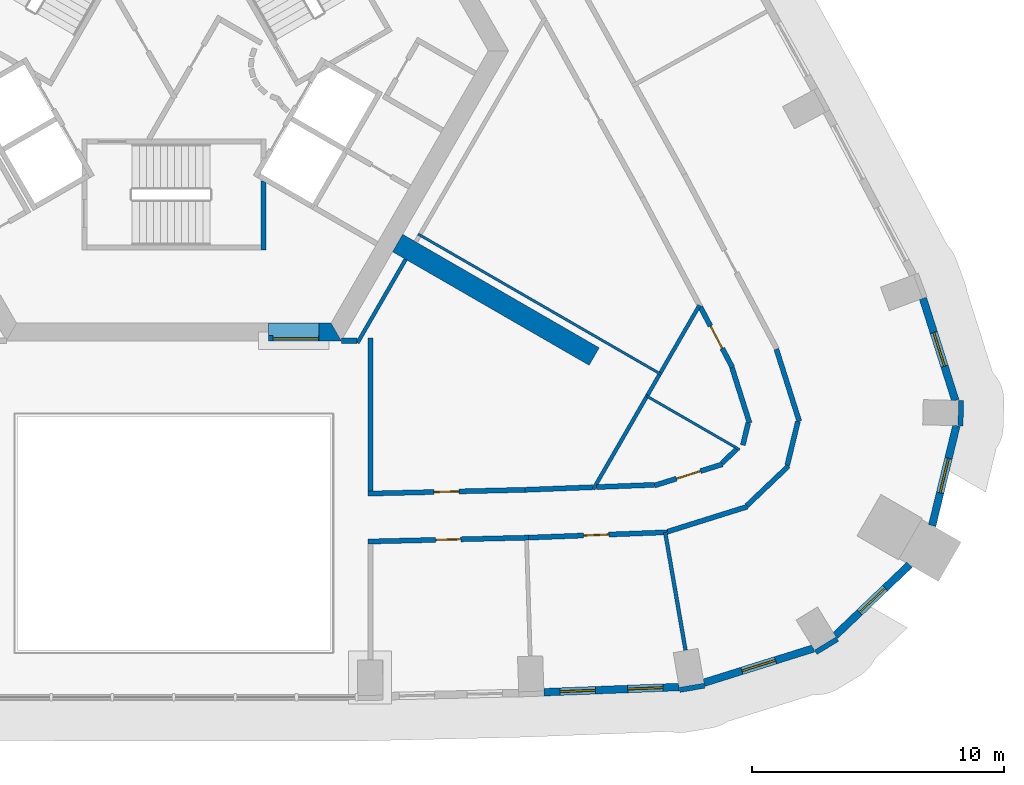
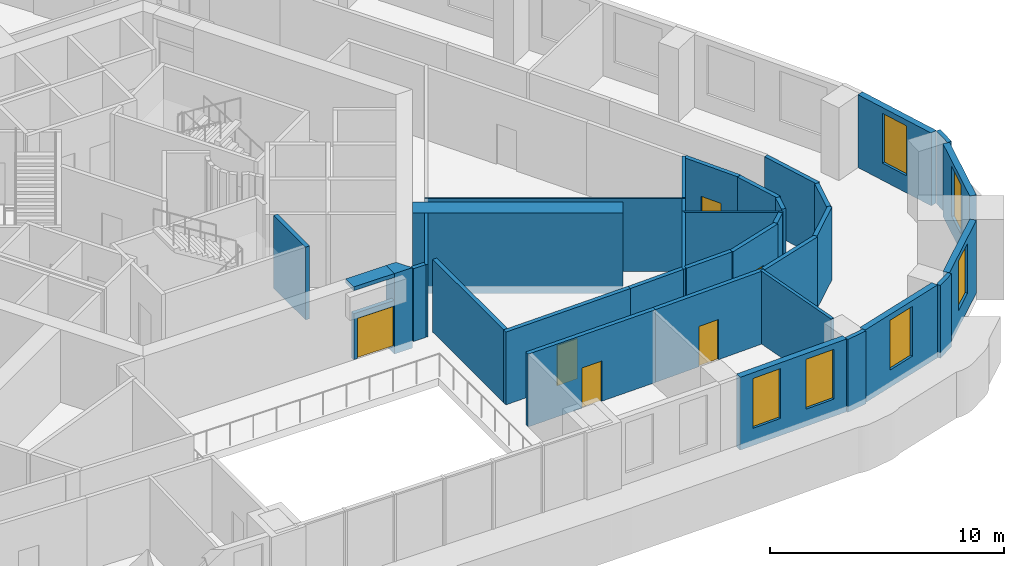
# One storey, part 6 of 13: 36 walls, 6 doors, 6 windows, 12 openings.
"""IFC4 building model written with IfcOpenShell, lengths in metres."""

from ifc_helpers import new_model, si_unit, direction, frame, frame_2d, origin, place, context, subcontext, project, spatial, polyline, rectangle, outline, extrude, material, layer, layer_set, type_object, element, fill, save


model = new_model("IFC4")

# Units and contexts
model_context = context("Model", 3, precision=1e-05, world=origin(), true_north=direction((0.0, 1.0)))
body_context = subcontext(model_context, "Body", "Model", "MODEL_VIEW")
ifc_project = project(units=[si_unit("LENGTHUNIT", "METRE"), si_unit("AREAUNIT", "SQUARE_METRE"), si_unit("VOLUMEUNIT", "CUBIC_METRE"), si_unit("PLANEANGLEUNIT", "RADIAN"), si_unit("MASSUNIT", "GRAM", prefix="KILO")], contexts=[model_context])

# Site, building, storey
site_placement = place(None, origin())
site = spatial("IfcSite", under=ifc_project, at=site_placement, CompositionType="ELEMENT")
building_placement = place(site_placement, origin())
building = spatial("IfcBuilding", under=site, at=building_placement, Name="Entoto Arch Interchange Tower", CompositionType="ELEMENT")
storey_placement = place(building_placement, frame((0.0, 0.0, 219.199951171875)))
storey = spatial("IfcBuildingStorey", under=building, at=storey_placement, Name="L49", CompositionType="ELEMENT", Elevation=219.199951171875)

# Wall
ifc_material_1 = material(Name="Concrete C50/60", Category="concrete")
ifc_layer_1 = layer(ifc_material_1, 0.800048828125)
ifc_layer_set_1 = layer_set([ifc_layer_1], Name="Concrete C50/60")
wall_type_1 = type_object("IfcWallType", Name="Buttress wall 800 C50/60", PredefinedType="SHEAR", material=ifc_layer_set_1)
wall_1_placement = place(storey_placement, frame((8.876953125, -5.125, -0.39990234375), z_axis=(0.0, 0.0, 1.0), x_axis=(0.866017533419, -0.500013631625, 0.0)))
element("IfcWall", 1, at=wall_1_placement, inside=storey, type_object=wall_type_1, Name="Buttress wall SE L49", PredefinedType="SHEAR", context=body_context, shape_type="SweptSolid", body=[
    extrude(rectangle(XDim=8.999755859375, YDim=0.800048828125, at=frame_2d((4.5, 0.0))), origin(), (0.0, 0.0, 1.0), 4.199951171875),
])

# Wall, opening, door
ifc_material_2 = material(Name="Reinforced concrete C40/50", Category="concrete")
ifc_layer_2 = layer(ifc_material_2, 0.199951171875)
ifc_layer_set_2 = layer_set([ifc_layer_2], Name="Reinforced concrete C40/50")
wall_type_2 = type_object("IfcWallType", Name="CORE GAP INFILL WALL", PredefinedType="PARTITIONING", material=ifc_layer_set_2)
wall_2_placement = place(storey_placement, frame((3.75, -8.89990234375, 0.0), z_axis=(0.0, 0.0, 1.0), x_axis=(1.0, 0.0, 0.0)))
wall_2 = element("IfcWall", 2, at=wall_2_placement, inside=storey, type_object=wall_type_2, Name="wall:L49:gap1", PredefinedType="PARTITIONING", context=body_context, shape_type="SweptSolid", body=[
    extrude(rectangle(XDim=2.0, YDim=0.199951171875, at=frame_2d((1.0, 0.0))), origin(), (0.0, 0.0, 1.0), 2.400146484375),
])
opening_1_placement = place(wall_2_placement, frame((0.18994140625, 0.0, 0.0)))
opening_1 = element("IfcOpeningElement", 3, at=opening_1_placement, cuts=wall_2, Name="Opening L49-D91", PredefinedType="OPENING", context=body_context, shape_type="SweptSolid", body=[
    extrude(rectangle(XDim=1.800048828125, YDim=2.10009765625, at=frame_2d((0.89990234375, 1.050048828125))), frame((0.0, 0.10986328125, 0.0), z_axis=(0.0, -1.0, 0.0), x_axis=(1.0, 0.0, 0.0)), (0.0, 0.0, 1.0), 0.219970703125),
])
ifc_material_3 = material(Name="Fire-rated Steel S235 door and frame", Category="steel")
door_type_1 = type_object("IfcDoorType", Name="DOOR FD-18 1800x2100", OperationType="DOUBLE_DOOR_SINGLE_SWING", PredefinedType="DOOR", material=ifc_material_3)
door_1_placement = place(opening_1_placement, origin())
door_1 = element("IfcDoor", 4, at=door_1_placement, inside=storey, type_object=door_type_1, Name="door:L49:gap1", OperationType="DOUBLE_DOOR_SINGLE_SWING", OverallHeight=2.10009765625, OverallWidth=1.800048828125, PredefinedType="DOOR", context=body_context, shape_type="SweptSolid", body=[
    extrude(rectangle(XDim=1.800048828125, YDim=2.10009765625, at=frame_2d((0.89990234375, 1.050048828125))), frame((0.0, 0.02490234375, 0.0), z_axis=(0.0, -1.0, 0.0), x_axis=(1.0, 0.0, 0.0)), (0.0, 0.0, 1.0), 0.050048828125),
])
fill(opening_1, door_1)

# Walls
ifc_layer_3 = layer(ifc_material_1, 0.699951171875)
ifc_layer_set_3 = layer_set([ifc_layer_3], Name="Concrete C50/60")
wall_type_3 = type_object("IfcWallType", Name="Core wall 700 C50/60", PredefinedType="SHEAR", material=ifc_layer_set_3)
wall_3_placement = place(storey_placement, frame((0.0, 0.0, -0.39990234375)))
element("IfcWall", 5, at=wall_3_placement, inside=storey, type_object=wall_type_3, Name="Core wall S L49", PredefinedType="SHEAR", context=body_context, shape_type="SweptSolid", body=[
    extrude(outline(polyline([(5.75, -8.300048828125), (5.75, -9.0), (6.639892578125, -9.0), (6.235107421875, -8.300048828125), (5.75, -8.300048828125)])), origin(), (0.0, 0.0, 1.0), 4.199951171875),
])
wall_4_placement = place(storey_placement, frame((0.0, 0.0, 3.60009765625)))
element("IfcWall", 6, at=wall_4_placement, inside=storey, type_object=wall_type_3, Name="Core wall lintel S L49", PredefinedType="SHEAR", context=body_context, shape_type="SweptSolid", body=[
    extrude(outline(polyline([(5.75, -9.0), (5.75, -8.300048828125), (3.75, -8.300048828125), (3.75, -9.0), (5.75, -9.0)])), origin(), (0.0, 0.0, 1.0), 0.199951171875),
])
ifc_material_4 = material(Name="Gypsum board partition on steel studs", Category="steel")
ifc_layer_4 = layer(ifc_material_4, 0.10009765625)
ifc_layer_set_4 = layer_set([ifc_layer_4], Name="Gypsum board partition on steel studs")
wall_type_4 = type_object("IfcWallType", Name="PARTITION 100", PredefinedType="PARTITIONING", material=ifc_layer_set_4)
wall_5_placement = place(storey_placement, frame((9.68896484375, -4.76806640625, 0.0), z_axis=(0.0, 0.0, 1.0), x_axis=(0.866023322577, -0.500003604739, 0.0)))
element("IfcWall", 7, at=wall_5_placement, inside=storey, type_object=wall_type_4, Name="wall:L49:p107", PredefinedType="PARTITIONING", context=body_context, shape_type="SweptSolid", body=[
    extrude(rectangle(XDim=11.14990234375, YDim=0.10009765625, at=frame_2d((5.574951171875, 0.0))), origin(), (0.0, 0.0, 1.0), 3.800048828125),
])
wall_6_placement = place(storey_placement, frame((18.764892578125, -11.198974609375, 0.0), z_axis=(0.0, 0.0, 1.0), x_axis=(0.866038964406, -0.499976511579, 0.0)))
element("IfcWall", 8, at=wall_6_placement, inside=storey, type_object=wall_type_4, Name="wall:L49:p111", PredefinedType="PARTITIONING", context=body_context, shape_type="SweptSolid", body=[
    extrude(rectangle(XDim=4.242431640625, YDim=0.10009765625, at=frame_2d((2.12109375, 0.0))), origin(), (0.0, 0.0, 1.0), 3.800048828125),
])
ifc_layer_5 = layer(ifc_material_4, 0.14990234375)
ifc_layer_set_5 = layer_set([ifc_layer_5], Name="Gypsum board partition on steel studs")
wall_type_5 = type_object("IfcWallType", Name="PARTITION 150", PredefinedType="PARTITIONING", material=ifc_layer_set_5)
wall_7_placement = place(storey_placement, frame((7.282958984375, -9.0859375, 0.0), z_axis=(0.0, 0.0, 1.0), x_axis=(0.500035303972, 0.866005020067, 0.0)))
element("IfcWall", 9, at=wall_7_placement, inside=storey, type_object=wall_type_5, Name="wall:L49:p087", PredefinedType="PARTITIONING", context=body_context, shape_type="SweptSolid", body=[
    extrude(rectangle(XDim=3.827880859375, YDim=0.14990234375, at=frame_2d((1.9140625, 0.0))), origin(), (0.0, 0.0, 1.0), 3.800048828125),
])
wall_8_placement = place(storey_placement, frame((18.7890625, -11.156005859375, 0.0), z_axis=(0.0, 0.0, 1.0), x_axis=(-0.499822078765, -0.866128102292, 0.0)))
element("IfcWall", 10, at=wall_8_placement, inside=storey, type_object=wall_type_5, Name="wall:L49:p108", PredefinedType="PARTITIONING", context=body_context, shape_type="SweptSolid", body=[
    extrude(rectangle(XDim=4.3134765625, YDim=0.14990234375, at=frame_2d((2.15673828125, 0.0))), origin(), (0.0, 0.0, 1.0), 3.800048828125),
])
wall_9_placement = place(storey_placement, frame((19.2548828125, -10.34912109375, 0.0), z_axis=(0.0, 0.0, 1.0), x_axis=(-0.499185199876, -0.866495318063, 0.0)))
element("IfcWall", 11, at=wall_9_placement, inside=storey, type_object=wall_type_5, Name="wall:L49:p109", PredefinedType="PARTITIONING", context=body_context, shape_type="SweptSolid", body=[
    extrude(rectangle(XDim=0.93115234375, YDim=0.14990234375, at=frame_2d((0.465576171875, 0.0))), origin(), (0.0, 0.0, 1.0), 3.800048828125),
])
wall_10_placement = place(storey_placement, frame((20.846923828125, -7.593017578125, 0.0), z_axis=(0.0, 0.0, 1.0), x_axis=(-0.500261762561, -0.865874222343, 0.0)))
element("IfcWall", 12, at=wall_10_placement, inside=storey, type_object=wall_type_5, Name="wall:L49:p110", PredefinedType="PARTITIONING", context=body_context, shape_type="SweptSolid", body=[
    extrude(rectangle(XDim=3.082275390625, YDim=0.14990234375, at=frame_2d((1.541015625, 0.0))), origin(), (0.0, 0.0, 1.0), 3.800048828125),
])
wall_11_placement = place(storey_placement, frame((19.488037109375, -16.59912109375, 0.0), z_axis=(0.0, 0.0, 1.0), x_axis=(0.169963884325, -0.985450292011, 0.0)))
element("IfcWall", 13, at=wall_11_placement, inside=storey, type_object=wall_type_5, Name="wall:L49:p118", PredefinedType="PARTITIONING", context=body_context, shape_type="SweptSolid", body=[
    extrude(rectangle(XDim=4.73583984375, YDim=0.14990234375, at=frame_2d((2.367919921875, 0.0))), origin(), (0.0, 0.0, 1.0), 3.800048828125),
])

# Wall, opening, door
ifc_layer_6 = layer(ifc_material_4, 0.199951171875)
ifc_layer_set_6 = layer_set([ifc_layer_6], Name="Gypsum board partition on steel studs")
wall_type_6 = type_object("IfcWallType", Name="PARTITION 200", PredefinedType="PARTITIONING", material=ifc_layer_set_6)
wall_12_placement = place(storey_placement, frame((7.699951171875, -15.06103515625, 0.0), z_axis=(0.0, 0.0, 1.0), x_axis=(0.999709615165, 0.024097413707, 0.0)))
wall_12 = element("IfcWall", 14, at=wall_12_placement, inside=storey, type_object=wall_type_6, Name="wall:L49:p014", PredefinedType="PARTITIONING", context=body_context, shape_type="SweptSolid", body=[
    extrude(rectangle(XDim=6.230712890625, YDim=0.199951171875, at=frame_2d((3.115234375, 0.0))), origin(), (0.0, 0.0, 1.0), 3.800048828125),
])
opening_2_placement = place(wall_12_placement, frame((2.614990234375, 0.0, 0.0)))
opening_2 = element("IfcOpeningElement", 15, at=opening_2_placement, cuts=wall_12, Name="Opening L49-D16", PredefinedType="OPENING", context=body_context, shape_type="SweptSolid", body=[
    extrude(rectangle(XDim=1.0, YDim=2.10009765625, at=frame_2d((0.5, 1.050048828125))), frame((0.0, 0.10986328125, 0.0), z_axis=(0.0, -1.0, 0.0), x_axis=(1.0, 0.0, 0.0)), (0.0, 0.0, 1.0), 0.219970703125),
])
ifc_material_5 = material(Name="Timber door leaf in Steel S235 frame", Category="steel")
door_type_2 = type_object("IfcDoorType", Name="DOOR DS-10 1000x2100", OperationType="SINGLE_SWING_LEFT", PredefinedType="DOOR", material=ifc_material_5)
door_2_placement = place(opening_2_placement, origin())
door_2 = element("IfcDoor", 16, at=door_2_placement, inside=storey, type_object=door_type_2, Name="door:L49:16", OperationType="SINGLE_SWING_LEFT", OverallHeight=2.10009765625, OverallWidth=1.0, PredefinedType="DOOR", context=body_context, shape_type="SweptSolid", body=[
    extrude(rectangle(XDim=1.0, YDim=2.10009765625, at=frame_2d((0.5, 1.050048828125))), frame((0.0, 0.02490234375, 0.0), z_axis=(0.0, -1.0, 0.0), x_axis=(1.0, 0.0, 0.0)), (0.0, 0.0, 1.0), 0.050048828125),
])
fill(opening_2, door_2)

# Walls
wall_13_placement = place(storey_placement, frame((13.928955078125, -14.910888671875, 0.0), z_axis=(0.0, 0.0, 1.0), x_axis=(0.99926480204, 0.038338693307, 0.0)))
element("IfcWall", 17, at=wall_13_placement, inside=storey, type_object=wall_type_6, Name="wall:L49:p015", PredefinedType="PARTITIONING", context=body_context, shape_type="SweptSolid", body=[
    extrude(rectangle(XDim=2.680908203125, YDim=0.199951171875, at=frame_2d((1.34033203125, 0.0))), origin(), (0.0, 0.0, 1.0), 3.800048828125),
])
wall_14_placement = place(storey_placement, frame((16.757080078125, -14.802001953125, 0.0), z_axis=(0.0, 0.0, 1.0), x_axis=(0.999273784151, 0.038103862122, 0.0)))
element("IfcWall", 18, at=wall_14_placement, inside=storey, type_object=wall_type_6, Name="wall:L49:p018", PredefinedType="PARTITIONING", context=body_context, shape_type="SweptSolid", body=[
    extrude(rectangle(XDim=2.306640625, YDim=0.199951171875, at=frame_2d((1.1533203125, 0.0))), origin(), (0.0, 0.0, 1.0), 3.800048828125),
])

# Wall, opening, door
wall_15_placement = place(storey_placement, frame((19.06591796875, -14.739990234375, 0.0), z_axis=(0.0, 0.0, 1.0), x_axis=(0.954238004552, 0.299048207935, 0.0)))
wall_15 = element("IfcWall", 19, at=wall_15_placement, inside=storey, type_object=wall_type_6, Name="wall:L49:p019", PredefinedType="PARTITIONING", context=body_context, shape_type="SweptSolid", body=[
    extrude(rectangle(XDim=2.822265625, YDim=0.199951171875, at=frame_2d((1.4111328125, 0.0))), origin(), (0.0, 0.0, 1.0), 3.800048828125),
])
opening_3_placement = place(wall_15_placement, frame((0.910888671875, 0.0, 0.0)))
opening_3 = element("IfcOpeningElement", 20, at=opening_3_placement, cuts=wall_15, Name="Opening L49-D18", PredefinedType="OPENING", context=body_context, shape_type="SweptSolid", body=[
    extrude(rectangle(XDim=1.0, YDim=2.10009765625, at=frame_2d((0.5, 1.050048828125))), frame((0.0, 0.10986328125, 0.0), z_axis=(0.0, -1.0, 0.0), x_axis=(1.0, 0.0, 0.0)), (0.0, 0.0, 1.0), 0.219970703125),
])
door_3_placement = place(opening_3_placement, origin())
door_3 = element("IfcDoor", 21, at=door_3_placement, inside=storey, type_object=door_type_2, Name="door:L49:18", OperationType="SINGLE_SWING_LEFT", OverallHeight=2.10009765625, OverallWidth=1.0, PredefinedType="DOOR", context=body_context, shape_type="SweptSolid", body=[
    extrude(rectangle(XDim=1.0, YDim=2.10009765625, at=frame_2d((0.5, 1.050048828125))), frame((0.0, 0.02490234375, 0.0), z_axis=(0.0, -1.0, 0.0), x_axis=(1.0, 0.0, 0.0)), (0.0, 0.0, 1.0), 0.050048828125),
])
fill(opening_3, door_3)

# Walls
wall_16_placement = place(storey_placement, frame((21.736083984375, -13.85693359375, 0.0), z_axis=(0.0, 0.0, 1.0), x_axis=(0.723666760573, 0.690149563241, 0.0)))
element("IfcWall", 22, at=wall_16_placement, inside=storey, type_object=wall_type_6, Name="wall:L49:p020", PredefinedType="PARTITIONING", context=body_context, shape_type="SweptSolid", body=[
    extrude(rectangle(XDim=0.80126953125, YDim=0.199951171875, at=frame_2d((0.400634765625, 0.0))), origin(), (0.0, 0.0, 1.0), 3.800048828125),
])
wall_17_placement = place(storey_placement, frame((22.56689453125, -13.138916015625, 0.0), z_axis=(0.0, 0.0, 1.0), x_axis=(0.2356388299, 0.971840697771, 0.0)))
element("IfcWall", 23, at=wall_17_placement, inside=storey, type_object=wall_type_6, Name="wall:L49:p021", PredefinedType="PARTITIONING", context=body_context, shape_type="SweptSolid", body=[
    extrude(rectangle(XDim=0.900390625, YDim=0.199951171875, at=frame_2d((0.4501953125, 0.0))), origin(), (0.0, 0.0, 1.0), 3.800048828125),
])
wall_18_placement = place(storey_placement, frame((22.8330078125, -12.261962890625, 0.0), z_axis=(0.0, 0.0, 1.0), x_axis=(-0.302262657712, 0.953224677478, 0.0)))
element("IfcWall", 24, at=wall_18_placement, inside=storey, type_object=wall_type_6, Name="wall:L49:p022", PredefinedType="PARTITIONING", context=body_context, shape_type="SweptSolid", body=[
    extrude(rectangle(XDim=2.302734375, YDim=0.199951171875, at=frame_2d((1.1513671875, 0.0))), origin(), (0.0, 0.0, 1.0), 3.800048828125),
])

# Wall, opening, door
wall_19_placement = place(storey_placement, frame((22.154052734375, -10.06005859375, 0.0), z_axis=(0.0, 0.0, 1.0), x_axis=(-0.468114756541, 0.883667683413, 0.0)))
wall_19 = element("IfcWall", 25, at=wall_19_placement, inside=storey, type_object=wall_type_6, Name="wall:L49:p023", PredefinedType="PARTITIONING", context=body_context, shape_type="SweptSolid", body=[
    extrude(rectangle(XDim=2.71728515625, YDim=0.199951171875, at=frame_2d((1.358642578125, 0.0))), origin(), (0.0, 0.0, 1.0), 3.800048828125),
])
opening_4_placement = place(wall_19_placement, frame((0.85888671875, 0.0, 0.0)))
opening_4 = element("IfcOpeningElement", 26, at=opening_4_placement, cuts=wall_19, Name="Opening L49-D19", PredefinedType="OPENING", context=body_context, shape_type="SweptSolid", body=[
    extrude(rectangle(XDim=1.0, YDim=2.10009765625, at=frame_2d((0.5, 1.050048828125))), frame((0.0, 0.10986328125, 0.0), z_axis=(0.0, -1.0, 0.0), x_axis=(1.0, 0.0, 0.0)), (0.0, 0.0, 1.0), 0.219970703125),
])
door_4_placement = place(opening_4_placement, origin())
door_4 = element("IfcDoor", 27, at=door_4_placement, inside=storey, type_object=door_type_2, Name="door:L49:19", OperationType="SINGLE_SWING_LEFT", OverallHeight=2.10009765625, OverallWidth=1.0, PredefinedType="DOOR", context=body_context, shape_type="SweptSolid", body=[
    extrude(rectangle(XDim=1.0, YDim=2.10009765625, at=frame_2d((0.5, 1.050048828125))), frame((0.0, 0.02490234375, 0.0), z_axis=(0.0, -1.0, 0.0), x_axis=(1.0, 0.0, 0.0)), (0.0, 0.0, 1.0), 0.050048828125),
])
fill(opening_4, door_4)

wall_20_placement = place(storey_placement, frame((14.06298828125, -16.80810546875, 0.0), z_axis=(0.0, 0.0, 1.0), x_axis=(-0.999707980382, -0.024165139379, 0.0)))
wall_20 = element("IfcWall", 28, at=wall_20_placement, inside=storey, type_object=wall_type_6, Name="wall:L49:p035", PredefinedType="PARTITIONING", context=body_context, shape_type="SweptSolid", body=[
    extrude(rectangle(XDim=6.364990234375, YDim=0.199951171875, at=frame_2d((3.1826171875, 0.0))), origin(), (0.0, 0.0, 1.0), 3.800048828125),
])
opening_5_placement = place(wall_20_placement, frame((2.68310546875, 0.0, 0.0)))
opening_5 = element("IfcOpeningElement", 29, at=opening_5_placement, cuts=wall_20, Name="Opening L49-D01", PredefinedType="OPENING", context=body_context, shape_type="SweptSolid", body=[
    extrude(rectangle(XDim=1.0, YDim=2.10009765625, at=frame_2d((0.5, 1.050048828125))), frame((0.0, 0.10986328125, 0.0), z_axis=(0.0, -1.0, 0.0), x_axis=(1.0, 0.0, 0.0)), (0.0, 0.0, 1.0), 0.219970703125),
])
door_5_placement = place(opening_5_placement, origin())
door_5 = element("IfcDoor", 30, at=door_5_placement, inside=storey, type_object=door_type_2, Name="door:L49:01", OperationType="SINGLE_SWING_LEFT", OverallHeight=2.10009765625, OverallWidth=1.0, PredefinedType="DOOR", context=body_context, shape_type="SweptSolid", body=[
    extrude(rectangle(XDim=1.0, YDim=2.10009765625, at=frame_2d((0.5, 1.050048828125))), frame((0.0, 0.02490234375, 0.0), z_axis=(0.0, -1.0, 0.0), x_axis=(1.0, 0.0, 0.0)), (0.0, 0.0, 1.0), 0.050048828125),
])
fill(opening_5, door_5)

wall_21_placement = place(storey_placement, frame((19.587890625, -16.594970703125, 0.0), z_axis=(0.0, 0.0, 1.0), x_axis=(-0.999265212989, -0.038327980772, 0.0)))
wall_21 = element("IfcWall", 31, at=wall_21_placement, inside=storey, type_object=wall_type_6, Name="wall:L49:p036", PredefinedType="PARTITIONING", context=body_context, shape_type="SweptSolid", body=[
    extrude(rectangle(XDim=5.529052734375, YDim=0.199951171875, at=frame_2d((2.7646484375, 0.0))), origin(), (0.0, 0.0, 1.0), 3.800048828125),
])
opening_6_placement = place(wall_21_placement, frame((2.339111328125, 0.0, 0.0)))
opening_6 = element("IfcOpeningElement", 32, at=opening_6_placement, cuts=wall_21, Name="Opening L49-D02", PredefinedType="OPENING", context=body_context, shape_type="SweptSolid", body=[
    extrude(rectangle(XDim=1.0, YDim=2.10009765625, at=frame_2d((0.5, 1.050048828125))), frame((0.0, 0.10986328125, 0.0), z_axis=(0.0, -1.0, 0.0), x_axis=(1.0, 0.0, 0.0)), (0.0, 0.0, 1.0), 0.219970703125),
])
door_6_placement = place(opening_6_placement, origin())
door_6 = element("IfcDoor", 33, at=door_6_placement, inside=storey, type_object=door_type_2, Name="door:L49:02", OperationType="SINGLE_SWING_LEFT", OverallHeight=2.10009765625, OverallWidth=1.0, PredefinedType="DOOR", context=body_context, shape_type="SweptSolid", body=[
    extrude(rectangle(XDim=1.0, YDim=2.10009765625, at=frame_2d((0.5, 1.050048828125))), frame((0.0, 0.02490234375, 0.0), z_axis=(0.0, -1.0, 0.0), x_axis=(1.0, 0.0, 0.0)), (0.0, 0.0, 1.0), 0.050048828125),
])
fill(opening_6, door_6)

# Walls
wall_22_placement = place(storey_placement, frame((23.89697265625, -9.330078125, 0.0), z_axis=(0.0, 0.0, 1.0), x_axis=(0.302200639646, -0.953244340868, 0.0)))
element("IfcWall", 34, at=wall_22_placement, inside=storey, type_object=wall_type_6, Name="wall:L49:p039", PredefinedType="PARTITIONING", context=body_context, shape_type="SweptSolid", body=[
    extrude(rectangle(XDim=3.00439453125, YDim=0.199951171875, at=frame_2d((1.502197265625, 0.0))), origin(), (0.0, 0.0, 1.0), 3.800048828125),
])
wall_23_placement = place(storey_placement, frame((24.7509765625, -12.196044921875, 0.0), z_axis=(0.0, 0.0, 1.0), x_axis=(-0.235756216468, -0.971812227952, 0.0)))
element("IfcWall", 35, at=wall_23_placement, inside=storey, type_object=wall_type_6, Name="wall:L49:p040", PredefinedType="PARTITIONING", context=body_context, shape_type="SweptSolid", body=[
    extrude(rectangle(XDim=1.78955078125, YDim=0.199951171875, at=frame_2d((0.894775390625, 0.0))), origin(), (0.0, 0.0, 1.0), 3.800048828125),
])
wall_24_placement = place(storey_placement, frame((24.3779296875, -13.964111328125, 0.0), z_axis=(0.0, 0.0, 1.0), x_axis=(-0.723967420116, -0.689834164571, 0.0)))
element("IfcWall", 36, at=wall_24_placement, inside=storey, type_object=wall_type_6, Name="wall:L49:p041", PredefinedType="PARTITIONING", context=body_context, shape_type="SweptSolid", body=[
    extrude(rectangle(XDim=2.28173828125, YDim=0.199951171875, at=frame_2d((1.140869140625, 0.0))), origin(), (0.0, 0.0, 1.0), 3.800048828125),
])
wall_25_placement = place(storey_placement, frame((22.7490234375, -15.576904296875, 0.0), z_axis=(0.0, 0.0, 1.0), x_axis=(-0.954238750745, -0.299045826884, 0.0)))
element("IfcWall", 37, at=wall_25_placement, inside=storey, type_object=wall_type_6, Name="wall:L49:p042", PredefinedType="PARTITIONING", context=body_context, shape_type="SweptSolid", body=[
    extrude(rectangle(XDim=3.31787109375, YDim=0.199951171875, at=frame_2d((1.658935546875, 0.0))), origin(), (0.0, 0.0, 1.0), 3.800048828125),
])
wall_26_placement = place(storey_placement, frame((6.64111328125, -8.9990234375, 0.0), z_axis=(0.0, 0.0, 1.0), x_axis=(1.0, 0.0, 0.0)))
element("IfcWall", 38, at=wall_26_placement, inside=storey, type_object=wall_type_6, Name="wall:L49:p086", PredefinedType="PARTITIONING", context=body_context, shape_type="SweptSolid", body=[
    extrude(rectangle(XDim=0.616943359375, YDim=0.199951171875, at=frame_2d((0.30859375, 0.0))), origin(), (0.0, 0.0, 1.0), 3.800048828125),
])
wall_27_placement = place(storey_placement, frame((7.800048828125, -8.89892578125, 0.0), z_axis=(0.0, 0.0, 1.0), x_axis=(0.0, -1.0, 0.0)))
element("IfcWall", 39, at=wall_27_placement, inside=storey, type_object=wall_type_6, Name="wall:L49:p101", PredefinedType="PARTITIONING", context=body_context, shape_type="SweptSolid", body=[
    extrude(rectangle(XDim=6.06005859375, YDim=0.199951171875, at=frame_2d((3.030029296875, 0.0))), origin(), (0.0, 0.0, 1.0), 3.800048828125),
])
ifc_material_6 = material(Name="Concrete C40/50", Category="concrete")
ifc_layer_7 = layer(ifc_material_6, 0.199951171875)
ifc_layer_set_7 = layer_set([ifc_layer_7], Name="Concrete C40/50")
wall_type_7 = type_object("IfcWallType", Name="STAIR ENCLOSURE WALL 200", PredefinedType="STANDARD", material=ifc_layer_set_7)
wall_28_placement = place(storey_placement, frame((3.550048828125, -2.6669921875, 0.0), z_axis=(0.0, 0.0, 1.0), x_axis=(0.0, -1.0, 0.0)))
element("IfcWall", 40, at=wall_28_placement, inside=storey, type_object=wall_type_7, Name="Stair wall ST-S far", PredefinedType="STANDARD", context=body_context, shape_type="SweptSolid", body=[
    extrude(rectangle(XDim=2.73291015625, YDim=0.199951171875, at=frame_2d((1.366455078125, 0.0))), origin(), (0.0, 0.0, 1.0), 3.800048828125),
])

# Wall, openings, windows
ifc_material_7 = material(Name="Welded tuff (ignimbrite) cladding, warm buff", Category="masonry")
ifc_layer_8 = layer(ifc_material_7, 0.300048828125)
ifc_layer_set_8 = layer_set([ifc_layer_8], Name="Welded tuff (ignimbrite) cladding, warm buff")
wall_type_8 = type_object("IfcWallType", Name="STONE INFILL WALL 300", PredefinedType="STANDARD", material=ifc_layer_set_8)
wall_29_placement = place(storey_placement, frame((14.678955078125, -22.93798828125, 0.0), z_axis=(0.0, 0.0, 1.0), x_axis=(0.99926218254, 0.038406907512, 0.0)))
wall_29 = element("IfcWall", 41, at=wall_29_placement, inside=storey, type_object=wall_type_8, Name="Facade wall S-05 L49", PredefinedType="STANDARD", context=body_context, shape_type="SweptSolid", body=[
    extrude(rectangle(XDim=5.364990234375, YDim=0.300048828125, at=frame_2d((2.6826171875, 0.0))), origin(), (0.0, 0.0, 1.0), 3.800048828125),
])
opening_7_placement = place(wall_29_placement, frame((0.64111328125, 0.0, 0.89990234375)))
opening_7 = element("IfcOpeningElement", 42, at=opening_7_placement, cuts=wall_29, Name="Opening WO-B", PredefinedType="OPENING", context=body_context, shape_type="SweptSolid", body=[
    extrude(rectangle(XDim=1.39990234375, YDim=2.60009765625, at=frame_2d((0.699951171875, 1.300048828125))), frame((0.0, 0.16015625, 0.0), z_axis=(0.0, -1.0, 0.0), x_axis=(1.0, 0.0, 0.0)), (0.0, 0.0, 1.0), 0.320068359375),
])
opening_8_placement = place(wall_29_placement, frame((3.323974609375, 0.0, 0.89990234375)))
opening_8 = element("IfcOpeningElement", 43, at=opening_8_placement, cuts=wall_29, Name="Opening WO-B", PredefinedType="OPENING", context=body_context, shape_type="SweptSolid", body=[
    extrude(rectangle(XDim=1.39990234375, YDim=2.60009765625, at=frame_2d((0.699951171875, 1.300048828125))), frame((0.0, 0.16015625, 0.0), z_axis=(0.0, -1.0, 0.0), x_axis=(1.0, 0.0, 0.0)), (0.0, 0.0, 1.0), 0.320068359375),
])
ifc_material_8 = material(Name="Clear glass, low-e double glazed", Category="glass")
window_type = type_object("IfcWindowType", Name="WINDOW WO-B 1400x2600", PartitioningType="DOUBLE_PANEL_VERTICAL", PredefinedType="WINDOW", material=ifc_material_8)
window_1_placement = place(opening_7_placement, origin())
window_1 = element("IfcWindow", 44, at=window_1_placement, inside=storey, type_object=window_type, Name="Window WO-B S-05 L49", OverallHeight=2.60009765625, OverallWidth=1.39990234375, PartitioningType="SINGLE_PANEL", PredefinedType="WINDOW", context=body_context, shape_type="SweptSolid", body=[
    extrude(rectangle(XDim=1.39990234375, YDim=2.60009765625, at=frame_2d((0.699951171875, 1.300048828125))), frame((0.0, 0.030029296875, 0.0), z_axis=(0.0, -1.0, 0.0), x_axis=(1.0, 0.0, 0.0)), (0.0, 0.0, 1.0), 0.06005859375),
])
fill(opening_7, window_1)
window_2_placement = place(opening_8_placement, origin())
window_2 = element("IfcWindow", 45, at=window_2_placement, inside=storey, type_object=window_type, Name="Window WO-B S-05 L49", OverallHeight=2.60009765625, OverallWidth=1.39990234375, PartitioningType="SINGLE_PANEL", PredefinedType="WINDOW", context=body_context, shape_type="SweptSolid", body=[
    extrude(rectangle(XDim=1.39990234375, YDim=2.60009765625, at=frame_2d((0.699951171875, 1.300048828125))), frame((0.0, 0.030029296875, 0.0), z_axis=(0.0, -1.0, 0.0), x_axis=(1.0, 0.0, 0.0)), (0.0, 0.0, 1.0), 0.06005859375),
])
fill(opening_8, window_2)

# Wall, opening, window
wall_30_placement = place(storey_placement, frame((21.02392578125, -22.56201171875, 0.0), z_axis=(0.0, 0.0, 1.0), x_axis=(0.954297481837, 0.298858354675, 0.0)))
wall_30 = element("IfcWall", 46, at=wall_30_placement, inside=storey, type_object=wall_type_8, Name="Facade wall SE-01 L49", PredefinedType="STANDARD", context=body_context, shape_type="SweptSolid", body=[
    extrude(rectangle(XDim=4.551025390625, YDim=0.300048828125, at=frame_2d((2.275390625, 0.0))), origin(), (0.0, 0.0, 1.0), 3.800048828125),
])
opening_9_placement = place(wall_30_placement, frame((1.574951171875, 0.0, 0.89990234375)))
opening_9 = element("IfcOpeningElement", 47, at=opening_9_placement, cuts=wall_30, Name="Opening WO-B", PredefinedType="OPENING", context=body_context, shape_type="SweptSolid", body=[
    extrude(rectangle(XDim=1.39990234375, YDim=2.60009765625, at=frame_2d((0.699951171875, 1.300048828125))), frame((0.0, 0.16015625, 0.0), z_axis=(0.0, -1.0, 0.0), x_axis=(1.0, 0.0, 0.0)), (0.0, 0.0, 1.0), 0.320068359375),
])
window_3_placement = place(opening_9_placement, origin())
window_3 = element("IfcWindow", 48, at=window_3_placement, inside=storey, type_object=window_type, Name="Window WO-B SE-01 L49", OverallHeight=2.60009765625, OverallWidth=1.39990234375, PartitioningType="SINGLE_PANEL", PredefinedType="WINDOW", context=body_context, shape_type="SweptSolid", body=[
    extrude(rectangle(XDim=1.39990234375, YDim=2.60009765625, at=frame_2d((0.699951171875, 1.300048828125))), frame((0.0, 0.030029296875, 0.0), z_axis=(0.0, -1.0, 0.0), x_axis=(1.0, 0.0, 0.0)), (0.0, 0.0, 1.0), 0.06005859375),
])
fill(opening_9, window_3)

wall_31_placement = place(storey_placement, frame((26.22802734375, -20.697021484375, 0.0), z_axis=(0.0, 0.0, 1.0), x_axis=(0.723707630873, 0.69010670553, 0.0)))
wall_31 = element("IfcWall", 49, at=wall_31_placement, inside=storey, type_object=wall_type_8, Name="Facade wall SE-02 L49", PredefinedType="STANDARD", context=body_context, shape_type="SweptSolid", body=[
    extrude(rectangle(XDim=4.076171875, YDim=0.300048828125, at=frame_2d((2.0380859375, 0.0))), origin(), (0.0, 0.0, 1.0), 3.800048828125),
])
opening_10_placement = place(wall_31_placement, frame((1.337890625, 0.0, 0.89990234375)))
opening_10 = element("IfcOpeningElement", 50, at=opening_10_placement, cuts=wall_31, Name="Opening WO-B", PredefinedType="OPENING", context=body_context, shape_type="SweptSolid", body=[
    extrude(rectangle(XDim=1.39990234375, YDim=2.60009765625, at=frame_2d((0.699951171875, 1.300048828125))), frame((0.0, 0.16015625, 0.0), z_axis=(0.0, -1.0, 0.0), x_axis=(1.0, 0.0, 0.0)), (0.0, 0.0, 1.0), 0.320068359375),
])
window_4_placement = place(opening_10_placement, origin())
window_4 = element("IfcWindow", 51, at=window_4_placement, inside=storey, type_object=window_type, Name="Window WO-B SE-02 L49", OverallHeight=2.60009765625, OverallWidth=1.39990234375, PartitioningType="SINGLE_PANEL", PredefinedType="WINDOW", context=body_context, shape_type="SweptSolid", body=[
    extrude(rectangle(XDim=1.39990234375, YDim=2.60009765625, at=frame_2d((0.699951171875, 1.300048828125))), frame((0.0, 0.030029296875, 0.0), z_axis=(0.0, -1.0, 0.0), x_axis=(1.0, 0.0, 0.0)), (0.0, 0.0, 1.0), 0.06005859375),
])
fill(opening_10, window_4)

wall_32_placement = place(storey_placement, frame((30.076904296875, -16.326904296875, 0.0), z_axis=(0.0, 0.0, 1.0), x_axis=(0.235766276378, 0.971809787419, 0.0)))
wall_32 = element("IfcWall", 52, at=wall_32_placement, inside=storey, type_object=wall_type_8, Name="Facade wall SE-03 L49", PredefinedType="STANDARD", context=body_context, shape_type="SweptSolid", body=[
    extrude(rectangle(XDim=4.076904296875, YDim=0.300048828125, at=frame_2d((2.03857421875, 0.0))), origin(), (0.0, 0.0, 1.0), 3.800048828125),
])
opening_11_placement = place(wall_32_placement, frame((1.337890625, 0.0, 0.89990234375)))
opening_11 = element("IfcOpeningElement", 53, at=opening_11_placement, cuts=wall_32, Name="Opening WO-B", PredefinedType="OPENING", context=body_context, shape_type="SweptSolid", body=[
    extrude(rectangle(XDim=1.39990234375, YDim=2.60009765625, at=frame_2d((0.699951171875, 1.300048828125))), frame((0.0, 0.16015625, 0.0), z_axis=(0.0, -1.0, 0.0), x_axis=(1.0, 0.0, 0.0)), (0.0, 0.0, 1.0), 0.320068359375),
])
window_5_placement = place(opening_11_placement, origin())
window_5 = element("IfcWindow", 54, at=window_5_placement, inside=storey, type_object=window_type, Name="Window WO-B SE-03 L49", OverallHeight=2.60009765625, OverallWidth=1.39990234375, PartitioningType="SINGLE_PANEL", PredefinedType="WINDOW", context=body_context, shape_type="SweptSolid", body=[
    extrude(rectangle(XDim=1.39990234375, YDim=2.60009765625, at=frame_2d((0.699951171875, 1.300048828125))), frame((0.0, 0.030029296875, 0.0), z_axis=(0.0, -1.0, 0.0), x_axis=(1.0, 0.0, 0.0)), (0.0, 0.0, 1.0), 0.06005859375),
])
fill(opening_11, window_5)

wall_33_placement = place(storey_placement, frame((30.993896484375, -11.365966796875, 0.0), z_axis=(0.0, 0.0, 1.0), x_axis=(-0.302195467572, 0.953245980521, 0.0)))
wall_33 = element("IfcWall", 55, at=wall_33_placement, inside=storey, type_object=wall_type_8, Name="Facade wall SE-04 L49", PredefinedType="STANDARD", context=body_context, shape_type="SweptSolid", body=[
    extrude(rectangle(XDim=4.248779296875, YDim=0.300048828125, at=frame_2d((2.12451171875, 0.0))), origin(), (0.0, 0.0, 1.0), 3.800048828125),
])
opening_12_placement = place(wall_33_placement, frame((1.424072265625, 0.0, 0.89990234375)))
opening_12 = element("IfcOpeningElement", 56, at=opening_12_placement, cuts=wall_33, Name="Opening WO-B", PredefinedType="OPENING", context=body_context, shape_type="SweptSolid", body=[
    extrude(rectangle(XDim=1.39990234375, YDim=2.60009765625, at=frame_2d((0.699951171875, 1.300048828125))), frame((0.0, 0.16015625, 0.0), z_axis=(0.0, -1.0, 0.0), x_axis=(1.0, 0.0, 0.0)), (0.0, 0.0, 1.0), 0.320068359375),
])
window_6_placement = place(opening_12_placement, origin())
window_6 = element("IfcWindow", 57, at=window_6_placement, inside=storey, type_object=window_type, Name="Window WO-B SE-04 L49", OverallHeight=2.60009765625, OverallWidth=1.39990234375, PartitioningType="SINGLE_PANEL", PredefinedType="WINDOW", context=body_context, shape_type="SweptSolid", body=[
    extrude(rectangle(XDim=1.39990234375, YDim=2.60009765625, at=frame_2d((0.699951171875, 1.300048828125))), frame((0.0, 0.030029296875, 0.0), z_axis=(0.0, -1.0, 0.0), x_axis=(1.0, 0.0, 0.0)), (0.0, 0.0, 1.0), 0.06005859375),
])
fill(opening_12, window_6)

# Walls
ifc_layer_9 = layer(ifc_material_7, 0.199951171875)
ifc_layer_set_9 = layer_set([ifc_layer_9], Name="Welded tuff (ignimbrite) cladding, warm buff")
wall_type_9 = type_object("IfcWallType", Name="STONE PIER CLADDING 200", PredefinedType="STANDARD", material=ifc_layer_set_9)
wall_34_placement = place(storey_placement, frame((20.05908203125, -22.847900390625, 0.0), z_axis=(0.0, 0.0, 1.0), x_axis=(0.985631544579, 0.168909615862, 0.0)))
element("IfcWall", 58, at=wall_34_placement, inside=storey, type_object=wall_type_9, Name="Stone pier S06 L49", PredefinedType="STANDARD", context=body_context, shape_type="SweptSolid", body=[
    extrude(rectangle(XDim=1.000244140625, YDim=0.199951171875, at=frame_2d((0.5, 0.0))), origin(), (0.0, 0.0, 1.0), 3.800048828125),
])
wall_35_placement = place(storey_placement, frame((25.458984375, -21.35498046875, 0.0), z_axis=(0.0, 0.0, 1.0), x_axis=(0.853679739553, 0.520798331677, 0.0)))
element("IfcWall", 59, at=wall_35_placement, inside=storey, type_object=wall_type_9, Name="Stone pier SE1 L49", PredefinedType="STANDARD", context=body_context, shape_type="SweptSolid", body=[
    extrude(rectangle(XDim=1.00048828125, YDim=0.199951171875, at=frame_2d((0.500244140625, 0.0))), origin(), (0.0, 0.0, 1.0), 3.800048828125),
])
wall_36_placement = place(storey_placement, frame((31.199951171875, -12.3701171875, 0.0), z_axis=(0.0, 0.0, 1.0), x_axis=(0.024186470916, 0.999707464524, 0.0)))
element("IfcWall", 60, at=wall_36_placement, inside=storey, type_object=wall_type_9, Name="Stone pier SE3 L49", PredefinedType="STANDARD", context=body_context, shape_type="SweptSolid", body=[
    extrude(rectangle(XDim=0.999267578125, YDim=0.199951171875, at=frame_2d((0.49951171875, 0.0))), origin(), (0.0, 0.0, 1.0), 3.800048828125),
])

save(model, "model.ifc")
